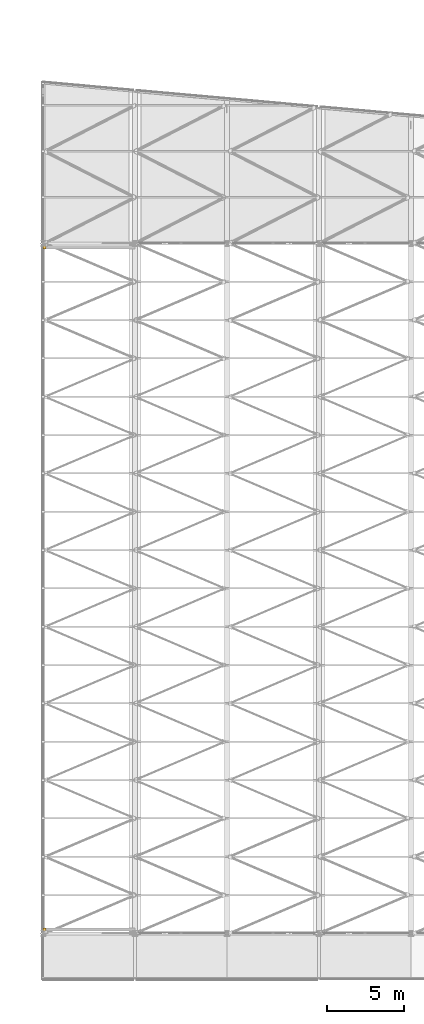
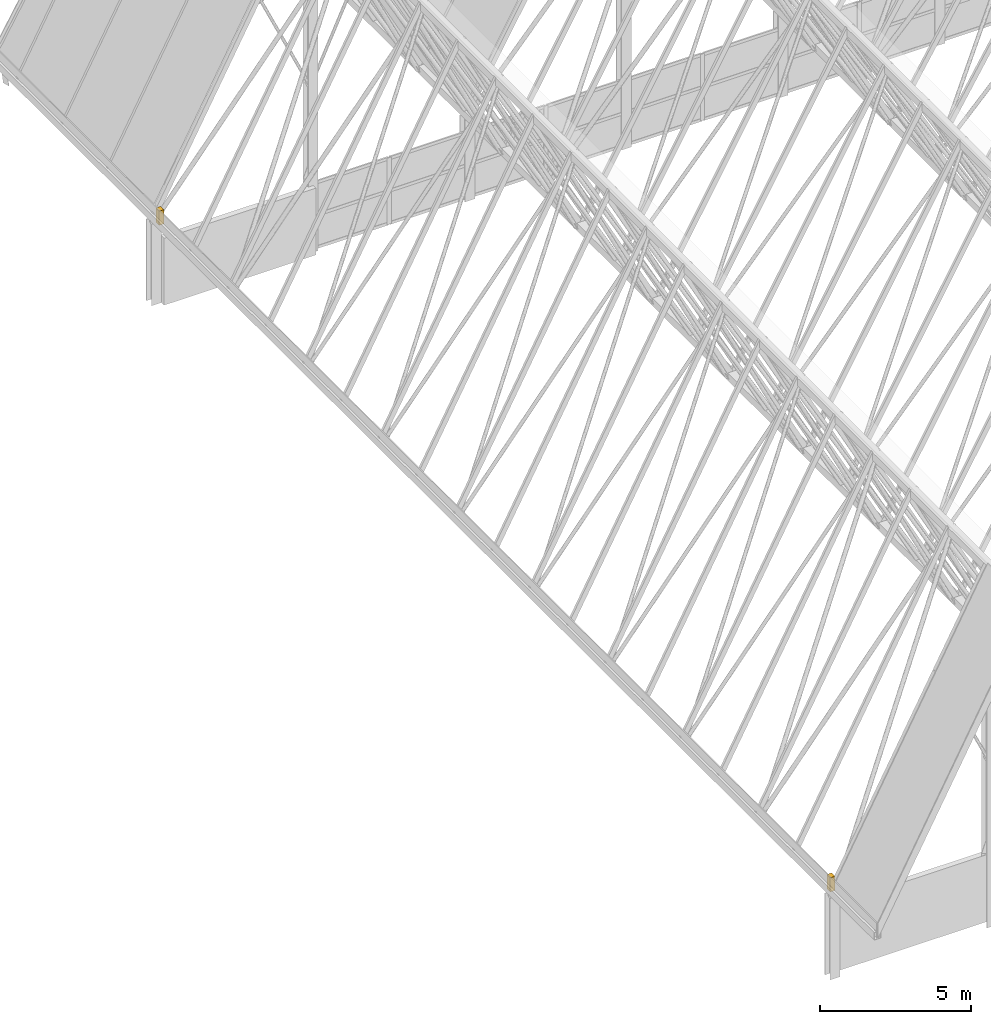
# One storey, part 483 of 483: 2 coverings.
"""IFC4 building model written with IfcOpenShell, lengths in metres."""

import ifcopenshell
import ifcopenshell.guid

model = None  # the IFC model being written
_history = None  # IfcOwnerHistory: only IFC2X3 demands one
_inside = {}  # id of a spatial element -> (the spatial element, [elements in it])
_under = {}  # id of a project, library or spatial element -> (it, [spatial elements below it])
_declared = {}  # id of a project -> (the project, [libraries it declares])
_typed = {}  # id of a type object -> (the type object, [elements of that type])
_made_of = {}  # id of a material, layer set ... -> (it, [elements and type objects made of it])


def new_model(schema):
    """Start an empty IFC model of exactly this schema.

    Asked for "IFC4X3", IfcOpenShell would pick the latest addendum, in which some entities
    have other attributes; the version numbers below select the first issue.
    IFC2X3 requires an IfcOwnerHistory on every rooted entity: one is made here for all.
    """
    global model, _history
    if schema == "IFC4X3":
        model = ifcopenshell.file(schema_version=(4, 3, 0, 0))
    else:
        model = ifcopenshell.file(schema=schema)
    _inside.clear()
    _under.clear()
    _declared.clear()
    _typed.clear()
    _made_of.clear()
    _history = None
    if model.schema == "IFC2X3":
        org = make("IfcOrganization", Name="unknown")
        user = make(
            "IfcPersonAndOrganization",
            ThePerson=make("IfcPerson", FamilyName="unknown"),
            TheOrganization=org,
        )
        app = make(
            "IfcApplication",
            ApplicationDeveloper=org,
            Version="unknown",
            ApplicationFullName="unknown",
            ApplicationIdentifier="unknown",
        )
        _history = make(
            "IfcOwnerHistory",
            OwningUser=user,
            OwningApplication=app,
            ChangeAction="ADDED",
            CreationDate=0,
        )
    return model


def make(cls, **values):
    """One entity of the class cls with the attributes given. An attribute that is None is left unset."""
    return model.create_entity(
        cls, **{name: value for name, value in values.items() if value is not None}
    )


def rooted(cls, **values):
    """An entity with a GlobalId (a new one), such as an element, a storey or a relation."""
    return make(cls, GlobalId=ifcopenshell.guid.new(), OwnerHistory=_history, **values)


def si_unit(unit_type, name, prefix=None):
    """IfcSIUnit, for example si_unit("LENGTHUNIT", "METRE", prefix="MILLI")."""
    return make("IfcSIUnit", UnitType=unit_type, Prefix=prefix, Name=name)


def assignment(units):
    """IfcUnitAssignment: the units of a project."""
    return None if units is None else make("IfcUnitAssignment", Units=units)


def point(xyz):
    """IfcCartesianPoint."""
    return None if xyz is None else make("IfcCartesianPoint", Coordinates=xyz)


def direction(xyz):
    """IfcDirection."""
    return None if xyz is None else make("IfcDirection", DirectionRatios=xyz)


def frame(location, z_axis=None, x_axis=None):
    """IfcAxis2Placement3D, a coordinate frame: its origin and axes. An axis left out is left unset."""
    return make(
        "IfcAxis2Placement3D",
        Location=point(location),
        Axis=direction(z_axis),
        RefDirection=direction(x_axis),
    )


def origin():
    """The frame at (0, 0, 0) with its axes left unset."""
    return frame((0.0, 0.0, 0.0))


def place(relative_to, where):
    """IfcLocalPlacement: puts the frame where relative to a parent placement (None: the world)."""
    return make(
        "IfcLocalPlacement", PlacementRelTo=relative_to, RelativePlacement=where
    )


def context(
    kind, dimensions, precision=None, world=None, true_north=None, identifier=None
):
    """IfcGeometricRepresentationContext, for example the 3D "Model" context."""
    return make(
        "IfcGeometricRepresentationContext",
        ContextIdentifier=identifier,
        ContextType=kind,
        CoordinateSpaceDimension=dimensions,
        Precision=precision,
        WorldCoordinateSystem=world,
        TrueNorth=true_north,
    )


def subcontext(parent, identifier, kind, view, scale=None):
    """IfcGeometricRepresentationSubContext, for example "Body" below "Model"."""
    return make(
        "IfcGeometricRepresentationSubContext",
        ContextIdentifier=identifier,
        ContextType=kind,
        ParentContext=parent,
        TargetScale=scale,
        TargetView=view,
    )


def project(units=None, contexts=None):
    """IfcProject with its units and contexts."""
    return rooted(
        "IfcProject",
        Name="project",
        RepresentationContexts=contexts,
        UnitsInContext=assignment(units),
    )


def spatial(cls, under=None, at=None, **own):
    """A site, building, storey or space (cls), placed at a placement, below another one or the project."""
    s = rooted(cls, ObjectPlacement=at, **own)
    if under is not None:
        _under.setdefault(under.id(), (under, []))[1].append(s)
    return s


def polyline(points):
    """IfcPolyline through the points."""
    return make("IfcPolyline", Points=[point(p) for p in points])


def outline(outer, holes=None, kind="AREA"):
    """IfcArbitraryClosedProfileDef: a profile drawn as a closed curve; with holes, ...WithVoids."""
    if holes is None:
        return make("IfcArbitraryClosedProfileDef", ProfileType=kind, OuterCurve=outer)
    return make(
        "IfcArbitraryProfileDefWithVoids",
        ProfileType=kind,
        OuterCurve=outer,
        InnerCurves=holes,
    )


def extrude(swept, where, along, depth):
    """IfcExtrudedAreaSolid: the profile swept, set in the frame where, extruded along a direction by depth."""
    return make(
        "IfcExtrudedAreaSolid",
        SweptArea=swept,
        Position=where,
        ExtrudedDirection=direction(along),
        Depth=depth,
    )


def shape(context_of_items, identifier, shape_type, items):
    """IfcShapeRepresentation: the items that make up one representation, for example the "Body"."""
    return make(
        "IfcShapeRepresentation",
        ContextOfItems=context_of_items,
        RepresentationIdentifier=identifier,
        RepresentationType=shape_type,
        Items=items,
    )


def material(Name=None, Category=None):
    """IfcMaterial."""
    return make("IfcMaterial", Name=Name, Category=Category)


def layer(
    of_material, thickness, ventilated=None, Name=None, Category=None, Priority=None
):
    """IfcMaterialLayer: one layer of a wall or slab, of a material (None: an air gap)."""
    return make(
        "IfcMaterialLayer",
        Material=of_material,
        LayerThickness=thickness,
        IsVentilated=ventilated,
        Name=Name,
        Category=Category,
        Priority=Priority,
    )


def layer_set(layers, Name=None):
    """IfcMaterialLayerSet."""
    return make("IfcMaterialLayerSet", MaterialLayers=layers, LayerSetName=Name)


def made_of(thing, what):
    """Note that an element or type object is made of a material, layer set ...; save() writes the relation."""
    if what is not None:
        _made_of.setdefault(what.id(), (what, []))[1].append(thing)
    return thing


def type_object(cls, material=None, **own):
    """A type object (cls), such as IfcWallType, which elements share."""
    return made_of(rooted(cls, **own), material)


def element(
    cls,
    number,
    at=None,
    inside=None,
    cuts=None,
    type_object=None,
    material=None,
    context=None,
    identifier="Body",
    shape_type=None,
    held_by="IfcProductDefinitionShape",
    body=None,
    shapes=None,
    **own,
):
    """One element of the class cls, such as IfcWall. Its Tag is "e" and its number.

    at: its placement. inside: the storey or other place that contains it. cuts: it is an
    opening in that element (IfcRelVoidsElement). A single representation is given by context,
    identifier, shape_type and body (its items); several are given by shapes. held_by: the class
    of the entity that holds the representations. save() writes the other relations.
    """
    e = rooted(cls, Tag="e%d" % number, ObjectPlacement=at, **own)
    if body is not None:
        shapes = [shape(context, identifier, shape_type, body)]
    if shapes is not None:
        e.Representation = make(held_by, Representations=shapes)
    if inside is not None:
        _inside.setdefault(inside.id(), (inside, []))[1].append(e)
    if cuts is not None:
        rooted(
            "IfcRelVoidsElement", RelatingBuildingElement=cuts, RelatedOpeningElement=e
        )
    if type_object is not None:
        _typed.setdefault(type_object.id(), (type_object, []))[1].append(e)
    return made_of(e, material)


def aggregate(whole, parts):
    """IfcRelAggregates: a whole, such as a stair, and the parts it consists of."""
    return rooted("IfcRelAggregates", RelatingObject=whole, RelatedObjects=parts)


def save(model, path):
    """Write the relations noted so far, then the file.

    IfcRelAggregates (storeys below a building ...), IfcRelContainedInSpatialStructure (elements
    in a storey), IfcRelDefinesByType, IfcRelAssociatesMaterial and IfcRelDeclares: one each for
    every whole, place, type object, material and project.
    """
    for whole, parts in _under.values():
        aggregate(whole, parts)
    for where, things in _inside.values():
        rooted(
            "IfcRelContainedInSpatialStructure",
            RelatedElements=things,
            RelatingStructure=where,
        )
    for kind, things in _typed.values():
        rooted("IfcRelDefinesByType", RelatedObjects=things, RelatingType=kind)
    for what, things in _made_of.values():
        rooted("IfcRelAssociatesMaterial", RelatedObjects=things, RelatingMaterial=what)
    for by, libraries in _declared.values():
        rooted("IfcRelDeclares", RelatingContext=by, RelatedDefinitions=libraries)
    model.write(path)


model = new_model("IFC4")

# Units and contexts
model_context = context("Model", 3, precision=1e-05, world=origin(), true_north=direction((0.0, 1.0)))
body_context = subcontext(model_context, "Body", "Model", "MODEL_VIEW")
ifc_project = project(units=[si_unit("LENGTHUNIT", "METRE"), si_unit("AREAUNIT", "SQUARE_METRE"), si_unit("VOLUMEUNIT", "CUBIC_METRE"), si_unit("PLANEANGLEUNIT", "RADIAN"), si_unit("MASSUNIT", "GRAM", prefix="KILO")], contexts=[model_context])

# Site, building, storey
site_placement = place(None, origin())
site = spatial("IfcSite", under=ifc_project, at=site_placement, CompositionType="ELEMENT")
building_placement = place(site_placement, origin())
building = spatial("IfcBuilding", under=site, at=building_placement, Name="Parallax Yard Mobility Hub", CompositionType="ELEMENT")
storey_placement = place(building_placement, frame((0.0, 0.0, 13.199951171875)))
storey = spatial("IfcBuildingStorey", under=building, at=storey_placement, Name="L04", CompositionType="ELEMENT", Elevation=13.199951171875)

# Coverings
ifc_material = material(Name="Pre-finished aluminium sheet", Category="aluminium")
ifc_layer = layer(ifc_material, 0.02001953125)
ifc_layer_set = layer_set([ifc_layer], Name="Gable edge closure flashing 20")
covering_type = type_object("IfcCoveringType", Name="Gable edge closure flashing 20", PredefinedType="CLADDING", material=ifc_layer_set)
covering_1_placement = place(storey_placement, frame((0.0, 0.0, 3.300048828125)))
element("IfcCovering", 1, at=covering_1_placement, inside=storey, type_object=covering_type, Name="Gable edge closure flashing south", PredefinedType="CLADDING", context=body_context, shape_type="SweptSolid", body=[
    extrude(outline(polyline([(9.0, 7.6396484375), (9.1865234375, 7.6396484375), (9.1865234375, 7.859619140625), (9.0, 7.859619140625), (9.0, 7.6396484375)])), origin(), (0.0, 0.0, 1.0), 0.57421875),
])
covering_2_placement = place(storey_placement, frame((0.0, 0.0, 3.300048828125)))
element("IfcCovering", 2, at=covering_2_placement, inside=storey, type_object=covering_type, Name="Gable edge closure flashing north", PredefinedType="CLADDING", context=body_context, shape_type="SweptSolid", body=[
    extrude(outline(polyline([(9.0, 52.140380859375), (9.1865234375, 52.140380859375), (9.1865234375, 52.360595703125), (9.0, 52.360595703125), (9.0, 52.140380859375)])), origin(), (0.0, 0.0, 1.0), 0.57421875),
])

save(model, "model.ifc")
